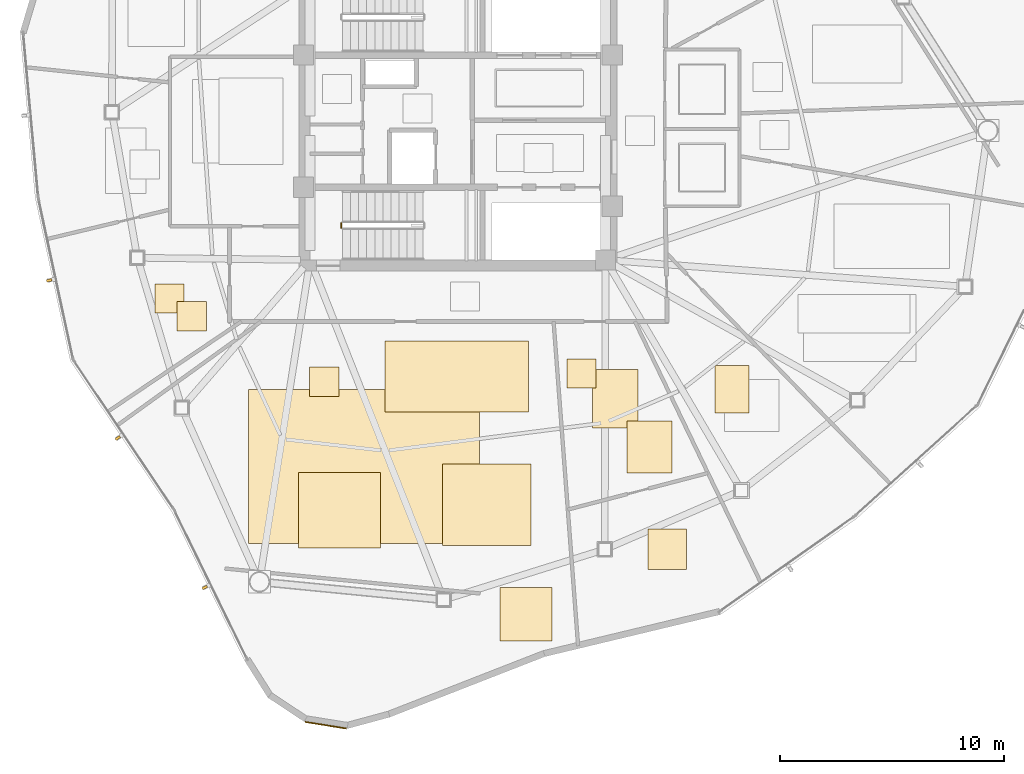
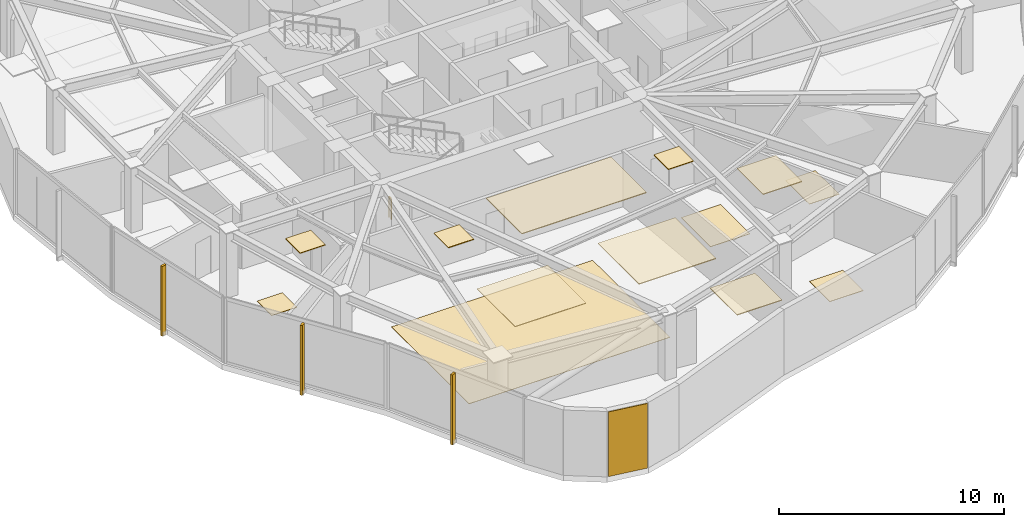
# One storey, part 14 of 17: 14 coverings, 3 shading devices, 1 railing.
"""IFC4 building model written with IfcOpenShell, lengths in metres."""

from ifc_helpers import new_model, si_unit, direction, frame, origin, origin_2d, place, context, subcontext, project, spatial, polyline, rectangle, outline, extrude, source, transform, mapped, material, layer, layer_set, type_object, type_shapes, element, save


model = new_model("IFC4")

# Units and contexts
model_context = context("Model", 3, precision=1e-05, world=origin(), true_north=direction((0.0, 1.0)))
body_context = subcontext(model_context, "Body", "Model", "MODEL_VIEW")
ifc_project = project(units=[si_unit("LENGTHUNIT", "METRE"), si_unit("AREAUNIT", "SQUARE_METRE"), si_unit("VOLUMEUNIT", "CUBIC_METRE"), si_unit("PLANEANGLEUNIT", "RADIAN"), si_unit("MASSUNIT", "GRAM", prefix="KILO")], contexts=[model_context])

# Site, building, storey
site_placement = place(None, origin())
site = spatial("IfcSite", under=ifc_project, at=site_placement, CompositionType="ELEMENT")
building_placement = place(site_placement, origin())
building = spatial("IfcBuilding", under=site, at=building_placement, Name="Tavelor Broadcast Tower", CompositionType="ELEMENT")
storey_placement = place(building_placement, frame((0.0, 0.0, 196.449951171875)))
storey = spatial("IfcBuildingStorey", under=building, at=storey_placement, Name="L47", CompositionType="ELEMENT", Elevation=196.449951171875)

# Coverings
ifc_material_1 = material(Name="Copper-Bronze Anodized Aluminium", Category="aluminium")
ifc_layer_1 = layer(ifc_material_1, 0.050048828125)
ifc_layer_set_1 = layer_set([ifc_layer_1], Name="Copper-Bronze Anodized Aluminium")
covering_type_1 = type_object("IfcCoveringType", Name="Champagne-Bronze Corner Pier Metal Cladding 50 mm", PredefinedType="CLADDING", material=ifc_layer_set_1)
covering_1_placement = place(storey_placement, frame((44.10498046875, 18.017578125, 0.02001953125), z_axis=(0.0, 0.0, 1.0), x_axis=(0.987275411839, -0.159019688023, 0.0)))
element("IfcCovering", 1, at=covering_1_placement, inside=storey, type_object=covering_type_1, Name="L47 Champagne-Bronze Corner Cladding 13", PredefinedType="CLADDING", context=body_context, shape_type="SweptSolid", body=[
    extrude(rectangle(XDim=1.853759765625, YDim=0.050048828125, at=origin_2d()), origin(), (0.0, 0.0, 1.0), 3.510009765625),
])
ifc_material_2 = material(Name="Acoustic Nylon Carpet Tile")
ifc_layer_2 = layer(ifc_material_2, 0.02001953125)
ifc_layer_set_2 = layer_set([ifc_layer_2], Name="Acoustic Nylon Carpet Tile")
covering_type_2 = type_object("IfcCoveringType", Name="Heavy-Duty Acoustic Broadcast Carpet Tile 20 mm", PredefinedType="FLOORING", material=ifc_layer_set_2)
covering_2_placement = place(storey_placement, origin())
element("IfcCovering", 2, at=covering_2_placement, inside=storey, type_object=covering_type_2, Name="L47 Broadcast Floor Finish 0715", PredefinedType="FLOORING", context=body_context, shape_type="SweptSolid", body=[
    extrude(outline(polyline([(61.483642578125, 31.9677734375), (63.014892578125, 31.9677734375), (63.014892578125, 34.0859375), (61.483642578125, 34.0859375), (61.483642578125, 31.9677734375)])), origin(), (0.0, 0.0, 1.0), 0.02001953125),
])
covering_3_placement = place(storey_placement, origin())
element("IfcCovering", 3, at=covering_3_placement, inside=storey, type_object=covering_type_2, Name="L47 Broadcast Floor Finish 0716", PredefinedType="FLOORING", context=body_context, shape_type="SweptSolid", body=[
    extrude(outline(polyline([(58.4853515625, 24.965087890625), (60.211669921875, 24.965087890625), (60.211669921875, 26.785888671875), (58.4853515625, 26.785888671875), (58.4853515625, 24.965087890625)])), origin(), (0.0, 0.0, 1.0), 0.02001953125),
])
covering_4_placement = place(storey_placement, origin())
element("IfcCovering", 4, at=covering_4_placement, inside=storey, type_object=covering_type_2, Name="L47 Broadcast Floor Finish 0717", PredefinedType="FLOORING", context=body_context, shape_type="SweptSolid", body=[
    extrude(outline(polyline([(40.64208984375, 26.127197265625), (50.963623046875, 26.127197265625), (50.963623046875, 33.0166015625), (40.64208984375, 33.0166015625), (40.64208984375, 26.127197265625)])), origin(), (0.0, 0.0, 1.0), 0.02001953125),
])
covering_5_placement = place(storey_placement, origin())
element("IfcCovering", 5, at=covering_5_placement, inside=storey, type_object=covering_type_2, Name="L47 Broadcast Floor Finish 0718", PredefinedType="FLOORING", context=body_context, shape_type="SweptSolid", body=[
    extrude(outline(polyline([(36.46923828125, 36.435791015625), (37.769287109375, 36.435791015625), (37.769287109375, 37.735595703125), (36.46923828125, 37.735595703125), (36.46923828125, 36.435791015625)])), origin(), (0.0, 0.0, 1.0), 0.02001953125),
])
covering_6_placement = place(storey_placement, origin())
element("IfcCovering", 6, at=covering_6_placement, inside=storey, type_object=covering_type_2, Name="L47 Broadcast Floor Finish 0724", PredefinedType="FLOORING", context=body_context, shape_type="SweptSolid", body=[
    extrude(outline(polyline([(56.021728515625, 31.299072265625), (58.05224609375, 31.299072265625), (58.05224609375, 33.916015625), (56.021728515625, 33.916015625), (56.021728515625, 31.299072265625)])), origin(), (0.0, 0.0, 1.0), 0.02001953125),
])

# Railing
ifc_material_3 = material(Name="Steel S355", Category="steel")
railing_type = type_object("IfcRailingType", Name="Stairwell Steel Safety Guardrail 1150 mm", PredefinedType="GUARDRAIL", material=ifc_material_3)
railing_placement = place(storey_placement, frame((44.800048828125, 40.25, 0.0)))
element("IfcRailing", 7, at=railing_placement, inside=storey, type_object=railing_type, Name="L47 ST2 stair guard 4", PredefinedType="GUARDRAIL", context=body_context, shape_type="SweptSolid", body=[
    extrude(rectangle(XDim=0.048095703125, YDim=0.048095703125, at=origin_2d()), frame((0.0, 0.0, 1.1259765625), z_axis=(0.0, 1.0, 0.0), x_axis=(-1.0, 0.0, 0.0)), (0.0, 0.0, 1.0), 0.199951171875),
    extrude(rectangle(XDim=0.0419921875, YDim=0.0419921875, at=origin_2d()), origin(), (0.0, 0.0, 1.0), 1.101806640625),
    extrude(rectangle(XDim=0.0419921875, YDim=0.0419921875, at=origin_2d()), frame((0.0, 0.199951171875, 0.0)), (0.0, 0.0, 1.0), 1.101806640625),
])

# Coverings
ifc_material_4 = material(Name="Acoustic Mineral Fibre Tile")
ifc_layer_3 = layer(ifc_material_4, 0.0400390625)
ifc_layer_set_3 = layer_set([ifc_layer_3], Name="Acoustic Mineral Fibre Tile")
covering_type_3 = type_object("IfcCoveringType", Name="Suspended Acoustic Mineral-Fibre Office Ceiling 40 mm", PredefinedType="CEILING", material=ifc_layer_set_3)
covering_7_placement = place(storey_placement, frame((0.0, 0.0, 3.510009765625)))
element("IfcCovering", 8, at=covering_7_placement, inside=storey, type_object=covering_type_3, Name="L47 Suspended Acoustic Ceiling 1967", PredefinedType="CEILING", context=body_context, shape_type="SweptSolid", body=[
    extrude(outline(polyline([(42.8876953125, 25.924560546875), (46.53515625, 25.924560546875), (46.53515625, 29.311279296875), (42.8876953125, 29.311279296875), (42.8876953125, 25.924560546875)])), origin(), (0.0, 0.0, 1.0), 0.0400390625),
])
covering_8_placement = place(storey_placement, frame((0.0, 0.0, 3.510009765625)))
element("IfcCovering", 9, at=covering_8_placement, inside=storey, type_object=covering_type_3, Name="L47 Suspended Acoustic Ceiling 1968", PredefinedType="CEILING", context=body_context, shape_type="SweptSolid", body=[
    extrude(outline(polyline([(43.384521484375, 32.710693359375), (44.6845703125, 32.710693359375), (44.6845703125, 34.0107421875), (43.384521484375, 34.0107421875), (43.384521484375, 32.710693359375)])), origin(), (0.0, 0.0, 1.0), 0.0400390625),
])
covering_9_placement = place(storey_placement, frame((0.0, 0.0, 3.510009765625)))
element("IfcCovering", 10, at=covering_9_placement, inside=storey, type_object=covering_type_3, Name="L47 Suspended Acoustic Ceiling 1969", PredefinedType="CEILING", context=body_context, shape_type="SweptSolid", body=[
    extrude(outline(polyline([(46.747802734375, 32.01025390625), (53.1474609375, 32.01025390625), (53.1474609375, 35.185546875), (46.747802734375, 35.185546875), (46.747802734375, 32.01025390625)])), origin(), (0.0, 0.0, 1.0), 0.0400390625),
])
covering_10_placement = place(storey_placement, frame((0.0, 0.0, 3.510009765625)))
element("IfcCovering", 11, at=covering_10_placement, inside=storey, type_object=covering_type_3, Name="L47 Suspended Acoustic Ceiling 1970", PredefinedType="CEILING", context=body_context, shape_type="SweptSolid", body=[
    extrude(outline(polyline([(49.3095703125, 26.03564453125), (53.275634765625, 26.03564453125), (53.275634765625, 29.68115234375), (49.3095703125, 29.68115234375), (49.3095703125, 26.03564453125)])), origin(), (0.0, 0.0, 1.0), 0.0400390625),
])
covering_11_placement = place(storey_placement, frame((0.0, 0.0, 3.510009765625)))
element("IfcCovering", 12, at=covering_11_placement, inside=storey, type_object=covering_type_3, Name="L47 Suspended Acoustic Ceiling 1971", PredefinedType="CEILING", context=body_context, shape_type="SweptSolid", body=[
    extrude(outline(polyline([(51.88720703125, 21.780517578125), (54.1953125, 21.780517578125), (54.1953125, 24.179443359375), (51.88720703125, 24.179443359375), (51.88720703125, 21.780517578125)])), origin(), (0.0, 0.0, 1.0), 0.0400390625),
])
covering_12_placement = place(storey_placement, frame((0.0, 0.0, 3.510009765625)))
element("IfcCovering", 13, at=covering_12_placement, inside=storey, type_object=covering_type_3, Name="L47 Suspended Acoustic Ceiling 1972", PredefinedType="CEILING", context=body_context, shape_type="SweptSolid", body=[
    extrude(outline(polyline([(37.46337890625, 35.63720703125), (38.763427734375, 35.63720703125), (38.763427734375, 36.937255859375), (37.46337890625, 36.937255859375), (37.46337890625, 35.63720703125)])), origin(), (0.0, 0.0, 1.0), 0.0400390625),
])
covering_13_placement = place(storey_placement, frame((0.0, 0.0, 3.510009765625)))
element("IfcCovering", 14, at=covering_13_placement, inside=storey, type_object=covering_type_3, Name="L47 Suspended Acoustic Ceiling 1990", PredefinedType="CEILING", context=body_context, shape_type="SweptSolid", body=[
    extrude(outline(polyline([(54.8828125, 33.07470703125), (56.1826171875, 33.07470703125), (56.1826171875, 34.37451171875), (54.8828125, 34.37451171875), (54.8828125, 33.07470703125)])), origin(), (0.0, 0.0, 1.0), 0.0400390625),
])
covering_14_placement = place(storey_placement, frame((0.0, 0.0, 3.510009765625)))
element("IfcCovering", 15, at=covering_14_placement, inside=storey, type_object=covering_type_3, Name="L47 Suspended Acoustic Ceiling 1991", PredefinedType="CEILING", context=body_context, shape_type="SweptSolid", body=[
    extrude(outline(polyline([(57.564453125, 29.294189453125), (59.564697265625, 29.294189453125), (59.564697265625, 31.616455078125), (57.564453125, 31.616455078125), (57.564453125, 29.294189453125)])), origin(), (0.0, 0.0, 1.0), 0.0400390625),
])

# Shading devices
ifc_material_5 = material(Name="Kiln-Fired Glazed Terracotta", Category="masonry")
shading_device_type = type_object("IfcShadingDeviceType", Name="Extruded Terracotta Baguette Sun-Screen 110x240", PredefinedType="JALOUSIE", material=ifc_material_5)
shared_shape = source(origin(), body_context, "Body", "SweptSolid", [
    extrude(rectangle(XDim=0.110107421875, YDim=0.239990234375, at=origin_2d()), origin(), (0.0, 0.0, 1.0), 3.7900390625),
])
type_shapes(shading_device_type, [shared_shape])
for number, where, z_axis, x_axis, name in (
    (16, (31.745849609375, 37.891357421875, -0.260009765625), (0.0, 0.0, 1.0), (0.210812993745, -0.977526409704, 0.0), "L47 Terracotta Baguette Fin 494"),
    (17, (34.809814453125, 30.8466796875, -0.260009765625), (0.0, 0.0, 1.0), (0.558179625922, -0.829720136676, 0.0), "L47 Terracotta Baguette Fin 495"),
    (18, (38.689697265625, 24.171630859375, -0.260009765625), (0.0, 0.0, 1.0), (0.4396256723, -0.898181088787, 0.0), "L47 Terracotta Baguette Fin 496"),
):
    element("IfcShadingDevice", number, at=place(storey_placement, frame(where, z_axis=z_axis, x_axis=x_axis)), inside=storey, type_object=shading_device_type, Name=name, PredefinedType="JALOUSIE", context=body_context, shape_type="MappedRepresentation", body=[
        mapped(shared_shape, transform((0.0, 0.0, 0.0), scale=1.0)),
    ])

save(model, "model.ifc")
